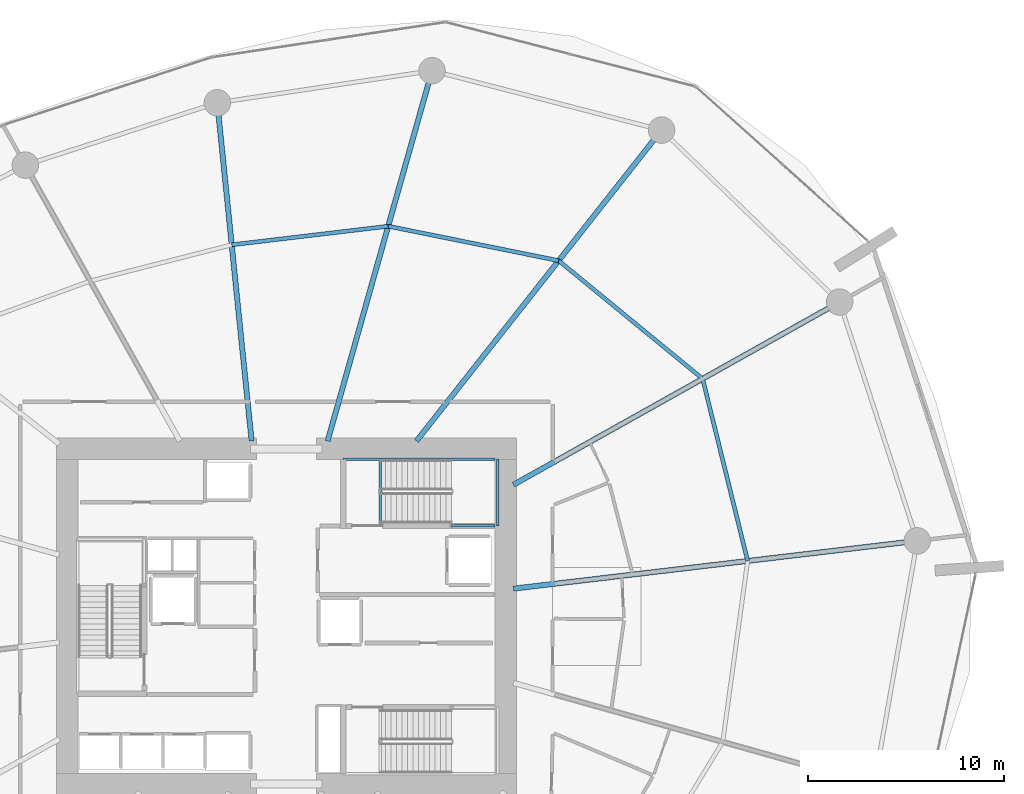
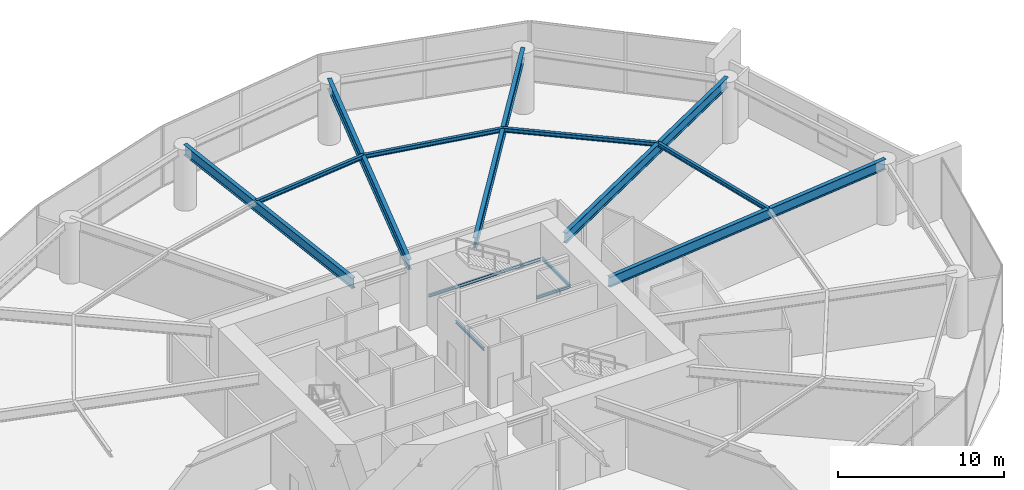
# One storey, part 14 of 22: 13 beams.
"""IFC4 building model written with IfcOpenShell, lengths in metres."""

import ifcopenshell
import ifcopenshell.guid

model = None  # the IFC model being written
_history = None  # IfcOwnerHistory: only IFC2X3 demands one
_inside = {}  # id of a spatial element -> (the spatial element, [elements in it])
_under = {}  # id of a project, library or spatial element -> (it, [spatial elements below it])
_declared = {}  # id of a project -> (the project, [libraries it declares])
_typed = {}  # id of a type object -> (the type object, [elements of that type])
_made_of = {}  # id of a material, layer set ... -> (it, [elements and type objects made of it])


def new_model(schema):
    """Start an empty IFC model of exactly this schema.

    Asked for "IFC4X3", IfcOpenShell would pick the latest addendum, in which some entities
    have other attributes; the version numbers below select the first issue.
    IFC2X3 requires an IfcOwnerHistory on every rooted entity: one is made here for all.
    """
    global model, _history
    if schema == "IFC4X3":
        model = ifcopenshell.file(schema_version=(4, 3, 0, 0))
    else:
        model = ifcopenshell.file(schema=schema)
    _inside.clear()
    _under.clear()
    _declared.clear()
    _typed.clear()
    _made_of.clear()
    _history = None
    if model.schema == "IFC2X3":
        org = make("IfcOrganization", Name="unknown")
        user = make(
            "IfcPersonAndOrganization",
            ThePerson=make("IfcPerson", FamilyName="unknown"),
            TheOrganization=org,
        )
        app = make(
            "IfcApplication",
            ApplicationDeveloper=org,
            Version="unknown",
            ApplicationFullName="unknown",
            ApplicationIdentifier="unknown",
        )
        _history = make(
            "IfcOwnerHistory",
            OwningUser=user,
            OwningApplication=app,
            ChangeAction="ADDED",
            CreationDate=0,
        )
    return model


def make(cls, **values):
    """One entity of the class cls with the attributes given. An attribute that is None is left unset."""
    return model.create_entity(
        cls, **{name: value for name, value in values.items() if value is not None}
    )


def rooted(cls, **values):
    """An entity with a GlobalId (a new one), such as an element, a storey or a relation."""
    return make(cls, GlobalId=ifcopenshell.guid.new(), OwnerHistory=_history, **values)


def si_unit(unit_type, name, prefix=None):
    """IfcSIUnit, for example si_unit("LENGTHUNIT", "METRE", prefix="MILLI")."""
    return make("IfcSIUnit", UnitType=unit_type, Prefix=prefix, Name=name)


def assignment(units):
    """IfcUnitAssignment: the units of a project."""
    return None if units is None else make("IfcUnitAssignment", Units=units)


def point(xyz):
    """IfcCartesianPoint."""
    return None if xyz is None else make("IfcCartesianPoint", Coordinates=xyz)


def direction(xyz):
    """IfcDirection."""
    return None if xyz is None else make("IfcDirection", DirectionRatios=xyz)


def frame(location, z_axis=None, x_axis=None):
    """IfcAxis2Placement3D, a coordinate frame: its origin and axes. An axis left out is left unset."""
    return make(
        "IfcAxis2Placement3D",
        Location=point(location),
        Axis=direction(z_axis),
        RefDirection=direction(x_axis),
    )


def frame_2d(location, x_axis=None):
    """IfcAxis2Placement2D, a coordinate frame in the plane: its origin and x axis."""
    return make(
        "IfcAxis2Placement2D", Location=point(location), RefDirection=direction(x_axis)
    )


def origin():
    """The frame at (0, 0, 0) with its axes left unset."""
    return frame((0.0, 0.0, 0.0))


def origin_2d():
    """The frame at (0, 0) in the plane with its x axis left unset."""
    return frame_2d((0.0, 0.0))


def place(relative_to, where):
    """IfcLocalPlacement: puts the frame where relative to a parent placement (None: the world)."""
    return make(
        "IfcLocalPlacement", PlacementRelTo=relative_to, RelativePlacement=where
    )


def context(
    kind, dimensions, precision=None, world=None, true_north=None, identifier=None
):
    """IfcGeometricRepresentationContext, for example the 3D "Model" context."""
    return make(
        "IfcGeometricRepresentationContext",
        ContextIdentifier=identifier,
        ContextType=kind,
        CoordinateSpaceDimension=dimensions,
        Precision=precision,
        WorldCoordinateSystem=world,
        TrueNorth=true_north,
    )


def subcontext(parent, identifier, kind, view, scale=None):
    """IfcGeometricRepresentationSubContext, for example "Body" below "Model"."""
    return make(
        "IfcGeometricRepresentationSubContext",
        ContextIdentifier=identifier,
        ContextType=kind,
        ParentContext=parent,
        TargetScale=scale,
        TargetView=view,
    )


def project(units=None, contexts=None):
    """IfcProject with its units and contexts."""
    return rooted(
        "IfcProject",
        Name="project",
        RepresentationContexts=contexts,
        UnitsInContext=assignment(units),
    )


def spatial(cls, under=None, at=None, **own):
    """A site, building, storey or space (cls), placed at a placement, below another one or the project."""
    s = rooted(cls, ObjectPlacement=at, **own)
    if under is not None:
        _under.setdefault(under.id(), (under, []))[1].append(s)
    return s


def profile(cls, at=None, kind="AREA", **sizes):
    """A parametric profile (cls). Its sizes go by their IFC names, for example OverallWidth=200.0."""
    return make(cls, ProfileType=kind, Position=at, **sizes)


def i_section(**sizes):
    """IfcIShapeProfileDef."""
    return profile("IfcIShapeProfileDef", **sizes)


def extrude(swept, where, along, depth):
    """IfcExtrudedAreaSolid: the profile swept, set in the frame where, extruded along a direction by depth."""
    return make(
        "IfcExtrudedAreaSolid",
        SweptArea=swept,
        Position=where,
        ExtrudedDirection=direction(along),
        Depth=depth,
    )


def shape(context_of_items, identifier, shape_type, items):
    """IfcShapeRepresentation: the items that make up one representation, for example the "Body"."""
    return make(
        "IfcShapeRepresentation",
        ContextOfItems=context_of_items,
        RepresentationIdentifier=identifier,
        RepresentationType=shape_type,
        Items=items,
    )


def material(Name=None, Category=None):
    """IfcMaterial."""
    return make("IfcMaterial", Name=Name, Category=Category)


def material_profile(
    of_material, cross_section, Name=None, Category=None, Priority=None
):
    """IfcMaterialProfile: a cross section and its material."""
    return make(
        "IfcMaterialProfile",
        Name=Name,
        Material=of_material,
        Profile=cross_section,
        Priority=Priority,
        Category=Category,
    )


def profile_set(profiles, Name=None, composite=None):
    """IfcMaterialProfileSet."""
    return make(
        "IfcMaterialProfileSet",
        Name=Name,
        MaterialProfiles=profiles,
        CompositeProfile=composite,
    )


def made_of(thing, what):
    """Note that an element or type object is made of a material, layer set ...; save() writes the relation."""
    if what is not None:
        _made_of.setdefault(what.id(), (what, []))[1].append(thing)
    return thing


def type_object(cls, material=None, **own):
    """A type object (cls), such as IfcWallType, which elements share."""
    return made_of(rooted(cls, **own), material)


def element(
    cls,
    number,
    at=None,
    inside=None,
    cuts=None,
    type_object=None,
    material=None,
    context=None,
    identifier="Body",
    shape_type=None,
    held_by="IfcProductDefinitionShape",
    body=None,
    shapes=None,
    **own,
):
    """One element of the class cls, such as IfcWall. Its Tag is "e" and its number.

    at: its placement. inside: the storey or other place that contains it. cuts: it is an
    opening in that element (IfcRelVoidsElement). A single representation is given by context,
    identifier, shape_type and body (its items); several are given by shapes. held_by: the class
    of the entity that holds the representations. save() writes the other relations.
    """
    e = rooted(cls, Tag="e%d" % number, ObjectPlacement=at, **own)
    if body is not None:
        shapes = [shape(context, identifier, shape_type, body)]
    if shapes is not None:
        e.Representation = make(held_by, Representations=shapes)
    if inside is not None:
        _inside.setdefault(inside.id(), (inside, []))[1].append(e)
    if cuts is not None:
        rooted(
            "IfcRelVoidsElement", RelatingBuildingElement=cuts, RelatedOpeningElement=e
        )
    if type_object is not None:
        _typed.setdefault(type_object.id(), (type_object, []))[1].append(e)
    return made_of(e, material)


def aggregate(whole, parts):
    """IfcRelAggregates: a whole, such as a stair, and the parts it consists of."""
    return rooted("IfcRelAggregates", RelatingObject=whole, RelatedObjects=parts)


def save(model, path):
    """Write the relations noted so far, then the file.

    IfcRelAggregates (storeys below a building ...), IfcRelContainedInSpatialStructure (elements
    in a storey), IfcRelDefinesByType, IfcRelAssociatesMaterial and IfcRelDeclares: one each for
    every whole, place, type object, material and project.
    """
    for whole, parts in _under.values():
        aggregate(whole, parts)
    for where, things in _inside.values():
        rooted(
            "IfcRelContainedInSpatialStructure",
            RelatedElements=things,
            RelatingStructure=where,
        )
    for kind, things in _typed.values():
        rooted("IfcRelDefinesByType", RelatedObjects=things, RelatingType=kind)
    for what, things in _made_of.values():
        rooted("IfcRelAssociatesMaterial", RelatedObjects=things, RelatingMaterial=what)
    for by, libraries in _declared.values():
        rooted("IfcRelDeclares", RelatingContext=by, RelatedDefinitions=libraries)
    model.write(path)


model = new_model("IFC4")

# Units and contexts
model_context = context("Model", 3, precision=1e-05, world=origin(), true_north=direction((0.0, 1.0)))
body_context = subcontext(model_context, "Body", "Model", "MODEL_VIEW")
ifc_project = project(units=[si_unit("LENGTHUNIT", "METRE"), si_unit("AREAUNIT", "SQUARE_METRE"), si_unit("VOLUMEUNIT", "CUBIC_METRE"), si_unit("PLANEANGLEUNIT", "RADIAN"), si_unit("MASSUNIT", "GRAM", prefix="KILO")], contexts=[model_context])

# Site, building, storey
site_placement = place(None, origin())
site = spatial("IfcSite", under=ifc_project, at=site_placement, CompositionType="ELEMENT")
building_placement = place(site_placement, origin())
building = spatial("IfcBuilding", under=site, at=building_placement, Name="Kazma Halo Residences", CompositionType="ELEMENT")
storey_placement = place(building_placement, frame((0.0, 0.0, 12.0)))
storey = spatial("IfcBuildingStorey", under=building, at=storey_placement, Name="L02", CompositionType="ELEMENT", Elevation=12.0)

# Beams
ifc_material = material(Name="Steel S355", Category="steel")
ifc_material_profile_1 = material_profile(ifc_material, i_section(OverallWidth=0.26708984375, OverallDepth=0.761962890625, WebThickness=0.014404296875, FlangeThickness=0.021484375, FilletRadius=0.02001953125, at=origin_2d()), Name="W760x173")
ifc_profile_set_1 = profile_set([ifc_material_profile_1], Name="Steel S355")
beam_type_1 = type_object("IfcBeamType", Name="BM-POD-W760", PredefinedType="BEAM", material=ifc_profile_set_1)
beam_1_placement = place(storey_placement, frame((60.0, 48.72021484375, 4.09912109375), z_axis=(0.872493349369, 0.488625987139, 0.0), x_axis=(-0.488625987139, 0.872493349369, 0.0)))
element("IfcBeam", 1, at=beam_1_placement, inside=storey, type_object=beam_type_1, Name="L02 radial floor beam 01", PredefinedType="BEAM", context=body_context, shape_type="SweptSolid", body=[
    extrude(i_section(OverallWidth=0.26708984375, OverallDepth=0.761962890625, WebThickness=0.014404296875, FlangeThickness=0.021484375, FilletRadius=0.02001953125, at=origin_2d()), origin(), (0.0, 0.0, 1.0), 19.0634765625),
])
beam_2_placement = place(storey_placement, frame((55.0556640625, 50.949951171875, 4.09912109375), z_axis=(0.619089277374, 0.785320613915, 0.0), x_axis=(-0.785320613915, 0.619089277374, 0.0)))
element("IfcBeam", 2, at=beam_2_placement, inside=storey, type_object=beam_type_1, Name="L02 radial floor beam 02", PredefinedType="BEAM", context=body_context, shape_type="SweptSolid", body=[
    extrude(i_section(OverallWidth=0.26708984375, OverallDepth=0.761962890625, WebThickness=0.014404296875, FlangeThickness=0.021484375, FilletRadius=0.02001953125, at=origin_2d()), origin(), (0.0, 0.0, 1.0), 20.18701171875),
])
beam_3_placement = place(storey_placement, frame((50.524169921875, 50.949951171875, 4.09912109375), z_axis=(0.271433858007, 0.962457095526, 0.0), x_axis=(-0.962457095526, 0.271433858007, 0.0)))
element("IfcBeam", 3, at=beam_3_placement, inside=storey, type_object=beam_type_1, Name="L02 radial floor beam 03", PredefinedType="BEAM", context=body_context, shape_type="SweptSolid", body=[
    extrude(i_section(OverallWidth=0.26708984375, OverallDepth=0.761962890625, WebThickness=0.014404296875, FlangeThickness=0.021484375, FilletRadius=0.02001953125, at=origin_2d()), origin(), (0.0, 0.0, 1.0), 19.617919921875),
])
beam_4_placement = place(storey_placement, frame((46.64990234375, 50.949951171875, 4.09912109375), z_axis=(-0.100981723867, 0.994888280886, 0.0), x_axis=(-0.994888280886, -0.100981723867, 0.0)))
element("IfcBeam", 4, at=beam_4_placement, inside=storey, type_object=beam_type_1, Name="L02 radial floor beam 04", PredefinedType="BEAM", context=body_context, shape_type="SweptSolid", body=[
    extrude(i_section(OverallWidth=0.26708984375, OverallDepth=0.761962890625, WebThickness=0.014404296875, FlangeThickness=0.021484375, FilletRadius=0.02001953125, at=origin_2d()), origin(), (0.0, 0.0, 1.0), 17.334716796875),
])
beam_5_placement = place(storey_placement, frame((60.0, 43.42041015625, 4.09912109375), z_axis=(0.993069425949, 0.117529210178, 0.0), x_axis=(-0.117529210178, 0.993069425949, 0.0)))
element("IfcBeam", 5, at=beam_5_placement, inside=storey, type_object=beam_type_1, Name="L02 radial floor beam 16", PredefinedType="BEAM", context=body_context, shape_type="SweptSolid", body=[
    extrude(i_section(OverallWidth=0.26708984375, OverallDepth=0.761962890625, WebThickness=0.014404296875, FlangeThickness=0.021484375, FilletRadius=0.02001953125, at=origin_2d()), origin(), (0.0, 0.0, 1.0), 20.7333984375),
])
ifc_material_profile_2 = material_profile(ifc_material, i_section(OverallWidth=0.202880859375, OverallDepth=0.302978515625, WebThickness=0.007568359375, FlangeThickness=0.01318359375, FilletRadius=0.013916015625, at=origin_2d()), Name="W310x60")
ifc_profile_set_2 = profile_set([ifc_material_profile_2], Name="Steel S355")
beam_type_2 = type_object("IfcBeamType", Name="BM-SEC-W310A", PredefinedType="JOIST", material=ifc_profile_set_2)
beam_6_placement = place(storey_placement, frame((69.64697265625, 54.122802734375, 4.32861328125), z_axis=(-0.773208794724, 0.634151527446, 0.0), x_axis=(-0.634151527446, -0.773208794724, 0.0)))
element("IfcBeam", 6, at=beam_6_placement, inside=storey, type_object=beam_type_2, Name="L02 circumferential floor joist 01", PredefinedType="JOIST", context=body_context, shape_type="SweptSolid", body=[
    extrude(i_section(OverallWidth=0.202880859375, OverallDepth=0.302978515625, WebThickness=0.007568359375, FlangeThickness=0.01318359375, FilletRadius=0.013916015625, at=origin_2d()), origin(), (0.0, 0.0, 1.0), 9.49658203125),
])
beam_7_placement = place(storey_placement, frame((62.30419921875, 60.14501953125, 4.32861328125), z_axis=(-0.980192243317, 0.198048393432, 0.0), x_axis=(-0.198048393432, -0.980192243317, 0.0)))
element("IfcBeam", 7, at=beam_7_placement, inside=storey, type_object=beam_type_2, Name="L02 circumferential floor joist 02", PredefinedType="JOIST", context=body_context, shape_type="SweptSolid", body=[
    extrude(i_section(OverallWidth=0.202880859375, OverallDepth=0.302978515625, WebThickness=0.007568359375, FlangeThickness=0.01318359375, FilletRadius=0.013916015625, at=origin_2d()), origin(), (0.0, 0.0, 1.0), 8.866943359375),
])
beam_8_placement = place(storey_placement, frame((53.61279296875, 61.901123046875, 4.32861328125), z_axis=(-0.993006946192, -0.118055939346, 0.0), x_axis=(0.118055939346, -0.993006946192, 0.0)))
element("IfcBeam", 8, at=beam_8_placement, inside=storey, type_object=beam_type_2, Name="L02 circumferential floor joist 03", PredefinedType="JOIST", context=body_context, shape_type="SweptSolid", body=[
    extrude(i_section(OverallWidth=0.202880859375, OverallDepth=0.302978515625, WebThickness=0.007568359375, FlangeThickness=0.01318359375, FilletRadius=0.013916015625, at=origin_2d()), origin(), (0.0, 0.0, 1.0), 8.0341796875),
])
beam_9_placement = place(storey_placement, frame((71.94189453125, 44.833740234375, 4.32861328125), z_axis=(-0.239845066169, 0.970811178466, 0.0), x_axis=(-0.970811178466, -0.239845066169, 0.0)))
element("IfcBeam", 9, at=beam_9_placement, inside=storey, type_object=beam_type_2, Name="L02 circumferential floor joist 16", PredefinedType="JOIST", context=body_context, shape_type="SweptSolid", body=[
    extrude(i_section(OverallWidth=0.202880859375, OverallDepth=0.302978515625, WebThickness=0.007568359375, FlangeThickness=0.01318359375, FilletRadius=0.013916015625, at=origin_2d()), origin(), (0.0, 0.0, 1.0), 9.568359375),
])
ifc_material_profile_3 = material_profile(ifc_material, i_section(OverallWidth=0.133056640625, OverallDepth=0.20703125, WebThickness=0.005859375, FlangeThickness=0.00830078125, FilletRadius=0.010009765625, at=origin_2d()), Name="W200x26.6")
ifc_profile_set_3 = profile_set([ifc_material_profile_3], Name="Steel S355")
beam_type_3 = type_object("IfcBeamType", Name="BM-TRIM-W200", PredefinedType="BEAM", material=ifc_profile_set_3)
beam_10_placement = place(storey_placement, frame((53.199951171875, 46.6201171875, -0.429931640625), z_axis=(0.0, 1.0, 0.0), x_axis=(-1.0, 0.0, 0.0)))
element("IfcBeam", 10, at=beam_10_placement, inside=storey, type_object=beam_type_3, Name="L02 ST-02 floor landing support beam", PredefinedType="BEAM", context=body_context, shape_type="SweptSolid", body=[
    extrude(i_section(OverallWidth=0.133056640625, OverallDepth=0.20703125, WebThickness=0.005859375, FlangeThickness=0.00830078125, FilletRadius=0.010009765625, at=origin_2d()), origin(), (0.0, 0.0, 1.0), 3.3798828125),
])
beam_11_placement = place(storey_placement, frame((51.31005859375, 50.02001953125, 2.094970703125), z_axis=(1.0, 0.0, 0.0), x_axis=(0.0, 1.0, 0.0)))
element("IfcBeam", 11, at=beam_11_placement, inside=storey, type_object=beam_type_3, Name="L02 ST-02 landing north wall ledger", PredefinedType="BEAM", context=body_context, shape_type="SweptSolid", body=[
    extrude(i_section(OverallWidth=0.133056640625, OverallDepth=0.20703125, WebThickness=0.005859375, FlangeThickness=0.00830078125, FilletRadius=0.010009765625, at=origin_2d()), origin(), (0.0, 0.0, 1.0), 7.760009765625),
])
beam_12_placement = place(storey_placement, frame((56.840087890625, 46.6201171875, 2.094970703125), z_axis=(1.0, 0.0, 0.0), x_axis=(0.0, 1.0, 0.0)))
element("IfcBeam", 12, at=beam_12_placement, inside=storey, type_object=beam_type_3, Name="L02 ST-02 landing south wall ledger", PredefinedType="BEAM", context=body_context, shape_type="SweptSolid", body=[
    extrude(i_section(OverallWidth=0.133056640625, OverallDepth=0.20703125, WebThickness=0.005859375, FlangeThickness=0.00830078125, FilletRadius=0.010009765625, at=origin_2d()), origin(), (0.0, 0.0, 1.0), 2.22998046875),
])
beam_13_placement = place(storey_placement, frame((59.18994140625, 46.6201171875, 2.094970703125), z_axis=(0.0, 1.0, 0.0), x_axis=(-1.0, 0.0, 0.0)))
element("IfcBeam", 13, at=beam_13_placement, inside=storey, type_object=beam_type_3, Name="L02 ST-02 landing end wall ledger", PredefinedType="BEAM", context=body_context, shape_type="SweptSolid", body=[
    extrude(i_section(OverallWidth=0.133056640625, OverallDepth=0.20703125, WebThickness=0.005859375, FlangeThickness=0.00830078125, FilletRadius=0.010009765625, at=origin_2d()), origin(), (0.0, 0.0, 1.0), 3.39990234375),
])

save(model, "model.ifc")
